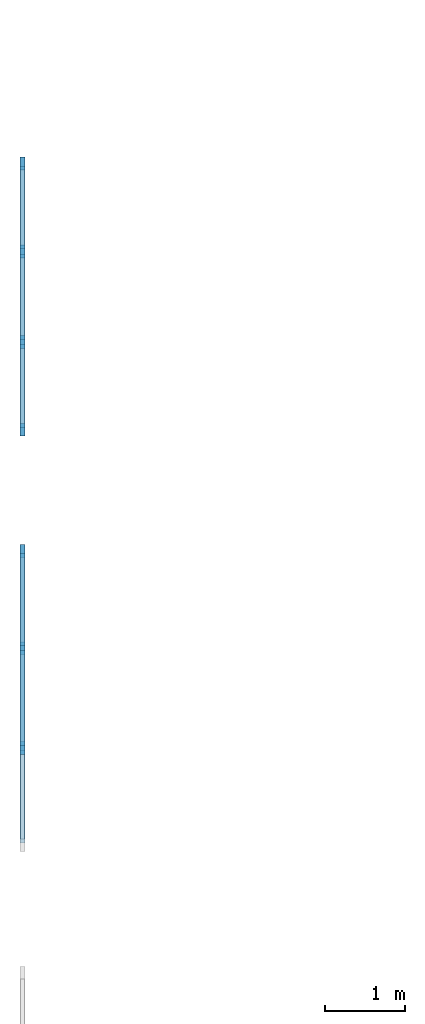
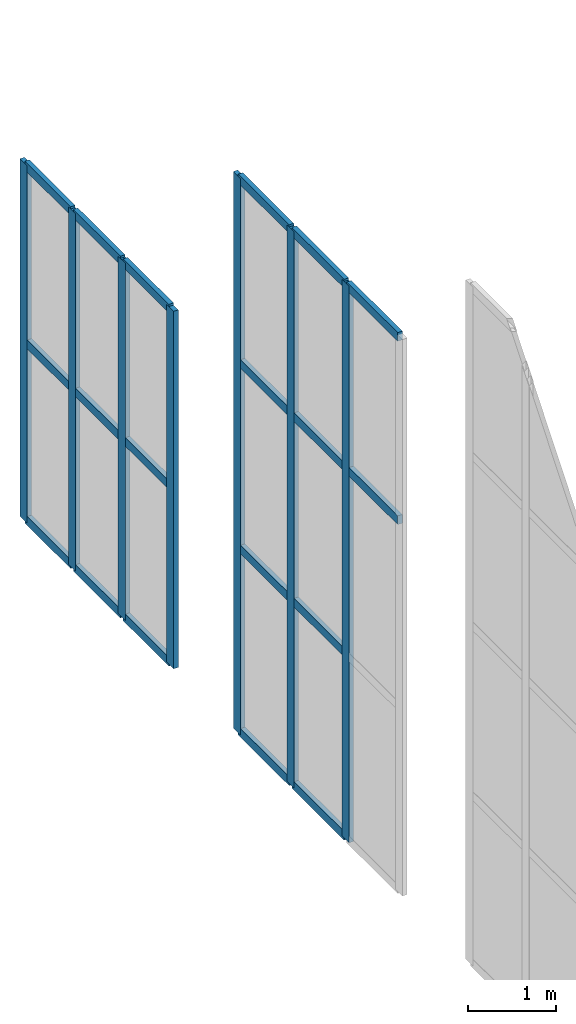
# One storey, part 3 of 19: 26 members, 2 elements without a shape of their own.
"""IFC4 building model written with IfcOpenShell, lengths in metres."""

from ifc_helpers import new_model, si_unit, direction, frame, origin, origin_2d, place, context, subcontext, project, spatial, rectangle, extrude, material, material_profile, profile_set, type_object, element, aggregate, save


model = new_model("IFC4")

# Units and contexts
model_context = context("Model", 3, precision=1e-05, world=origin(), true_north=direction((0.0, 1.0)))
body_context = subcontext(model_context, "Body", "Model", "MODEL_VIEW")
ifc_project = project(units=[si_unit("LENGTHUNIT", "METRE"), si_unit("AREAUNIT", "SQUARE_METRE"), si_unit("VOLUMEUNIT", "CUBIC_METRE"), si_unit("PLANEANGLEUNIT", "RADIAN"), si_unit("MASSUNIT", "GRAM", prefix="KILO")], contexts=[model_context])

# Site, building, storey
site_placement = place(None, origin())
site = spatial("IfcSite", under=ifc_project, at=site_placement, CompositionType="ELEMENT")
building_placement = place(site_placement, origin())
building = spatial("IfcBuilding", under=site, at=building_placement, Name="Vermilion Court Aquatics Centre", CompositionType="ELEMENT")
storey_placement = place(building_placement, frame((0.0, 0.0, 19.89990234375)))
storey = spatial("IfcBuildingStorey", under=building, at=storey_placement, Name="L04", CompositionType="ELEMENT", Elevation=19.89990234375)

# Curtain wall, members
ifc_material_1 = material(Name="Aluminium 6063-T5", Category="aluminium")
curtain_wall_type = type_object("IfcCurtainWallType", Name="Envelope curtain wall west gable upper runs", PredefinedType="NOTDEFINED", material=ifc_material_1)
curtain_wall_1_placement = place(storey_placement, origin())
curtain_wall_1 = element("IfcCurtainWall", 1, at=curtain_wall_1_placement, inside=storey, type_object=curtain_wall_type, Name="Gable glazing west 8.3", PredefinedType="NOTDEFINED")
ifc_material_2 = material(Name="Aluminium 6063-T5", Category="aluminium")
ifc_material_profile_1 = material_profile(ifc_material_2, rectangle(XDim=0.06005859375, YDim=0.159912109375, at=origin_2d()), Name="AL 60x160")
ifc_profile_set_1 = profile_set([ifc_material_profile_1], Name="Aluminium 6063-T5")
member_type_1 = type_object("IfcMemberType", Name="Envelope aluminium mullion 60x160", PredefinedType="MULLION", material=ifc_profile_set_1)
member_1_placement = place(storey_placement, frame((14.125, 47.063232421875, 0.0), z_axis=(0.0, 0.0, 1.0), x_axis=(-1.0, 0.0, 0.0)))
member_1 = element("IfcMember", 2, at=member_1_placement, type_object=member_type_1, Name="ECW4 mullion 2", PredefinedType="MULLION", context=body_context, shape_type="SweptSolid", body=[
    extrude(rectangle(XDim=0.06005859375, YDim=0.159912109375, at=origin_2d()), origin(), (0.0, 0.0, 1.0), 7.689697265625),
])
member_2_placement = place(storey_placement, frame((14.125, 48.306640625, 0.0), z_axis=(0.0, 0.0, 1.0), x_axis=(-1.0, 0.0, 0.0)))
member_2 = element("IfcMember", 3, at=member_2_placement, type_object=member_type_1, Name="ECW4 mullion 3", PredefinedType="MULLION", context=body_context, shape_type="SweptSolid", body=[
    extrude(rectangle(XDim=0.06005859375, YDim=0.159912109375, at=origin_2d()), origin(), (0.0, 0.0, 1.0), 7.689697265625),
])
member_3_placement = place(storey_placement, frame((14.125, 49.52001953125, 0.0), z_axis=(0.0, 0.0, 1.0), x_axis=(-1.0, 0.0, 0.0)))
member_3 = element("IfcMember", 4, at=member_3_placement, type_object=member_type_1, Name="ECW4 mullion 4", PredefinedType="MULLION", context=body_context, shape_type="SweptSolid", body=[
    extrude(rectangle(XDim=0.06005859375, YDim=0.159912109375, at=origin_2d()), origin(), (0.0, 0.0, 1.0), 7.689697265625),
])

curtain_wall_2_placement = place(storey_placement, origin())
curtain_wall_2 = element("IfcCurtainWall", 5, at=curtain_wall_2_placement, inside=storey, type_object=curtain_wall_type, Name="Gable glazing west 9.3", PredefinedType="NOTDEFINED")
member_4_placement = place(storey_placement, frame((14.125, 51.030029296875, 0.0), z_axis=(0.0, 0.0, 1.0), x_axis=(-1.0, 0.0, 0.0)))
member_4 = element("IfcMember", 6, at=member_4_placement, type_object=member_type_1, Name="ECW4 mullion 1", PredefinedType="MULLION", context=body_context, shape_type="SweptSolid", body=[
    extrude(rectangle(XDim=0.06005859375, YDim=0.159912109375, at=origin_2d()), origin(), (0.0, 0.0, 1.0), 4.9384765625),
])
member_5_placement = place(storey_placement, frame((14.125, 52.126708984375, 0.0), z_axis=(0.0, 0.0, 1.0), x_axis=(-1.0, 0.0, 0.0)))
member_5 = element("IfcMember", 7, at=member_5_placement, type_object=member_type_1, Name="ECW4 mullion 2", PredefinedType="MULLION", context=body_context, shape_type="SweptSolid", body=[
    extrude(rectangle(XDim=0.06005859375, YDim=0.159912109375, at=origin_2d()), origin(), (0.0, 0.0, 1.0), 4.9384765625),
])
member_6_placement = place(storey_placement, frame((14.125, 53.25341796875, 0.0), z_axis=(0.0, 0.0, 1.0), x_axis=(-1.0, 0.0, 0.0)))
member_6 = element("IfcMember", 8, at=member_6_placement, type_object=member_type_1, Name="ECW4 mullion 3", PredefinedType="MULLION", context=body_context, shape_type="SweptSolid", body=[
    extrude(rectangle(XDim=0.06005859375, YDim=0.159912109375, at=origin_2d()), origin(), (0.0, 0.0, 1.0), 4.9384765625),
])
member_7_placement = place(storey_placement, frame((14.125, 54.35009765625, 0.0), z_axis=(0.0, 0.0, 1.0), x_axis=(-1.0, 0.0, 0.0)))
member_7 = element("IfcMember", 9, at=member_7_placement, type_object=member_type_1, Name="ECW4 mullion 4", PredefinedType="MULLION", context=body_context, shape_type="SweptSolid", body=[
    extrude(rectangle(XDim=0.06005859375, YDim=0.159912109375, at=origin_2d()), origin(), (0.0, 0.0, 1.0), 4.9384765625),
])

# Member
ifc_material_3 = material(Name="Aluminium 6063-T5", Category="aluminium")
ifc_material_profile_2 = material_profile(ifc_material_3, rectangle(XDim=0.06005859375, YDim=0.1201171875, at=origin_2d()), Name="AL 60x120")
ifc_profile_set_2 = profile_set([ifc_material_profile_2], Name="Aluminium 6063-T5")
member_type_2 = type_object("IfcMemberType", Name="Envelope aluminium transom 60x120", PredefinedType="USERDEFINED", material=ifc_profile_set_2)
member_8_placement = place(storey_placement, frame((14.125, 45.8798828125, 5.12646484375), z_axis=(0.0, 1.0, 0.0), x_axis=(-1.0, 0.0, 0.0)))
member_8 = element("IfcMember", 10, at=member_8_placement, type_object=member_type_2, Name="ECW4 transom 1.3", ObjectType="TRANSOM", PredefinedType="USERDEFINED", context=body_context, shape_type="SweptSolid", body=[
    extrude(rectangle(XDim=0.06005859375, YDim=0.1201171875, at=origin_2d()), origin(), (0.0, 0.0, 1.0), 1.153564453125),
])

member_9_placement = place(storey_placement, frame((14.125, 45.8798828125, 7.65966796875), z_axis=(0.0, 1.0, 0.0), x_axis=(-1.0, 0.0, 0.0)))
member_9 = element("IfcMember", 11, at=member_9_placement, type_object=member_type_2, Name="ECW4 transom 1.4", ObjectType="TRANSOM", PredefinedType="USERDEFINED", context=body_context, shape_type="SweptSolid", body=[
    extrude(rectangle(XDim=0.06005859375, YDim=0.1201171875, at=origin_2d()), origin(), (0.0, 0.0, 1.0), 1.153564453125),
])

member_10_placement = place(storey_placement, frame((14.125, 47.09326171875, 0.030029296875), z_axis=(0.0, 1.0, 0.0), x_axis=(-1.0, 0.0, 0.0)))
member_10 = element("IfcMember", 12, at=member_10_placement, type_object=member_type_2, Name="ECW4 transom 2.1", ObjectType="TRANSOM", PredefinedType="USERDEFINED", context=body_context, shape_type="SweptSolid", body=[
    extrude(rectangle(XDim=0.06005859375, YDim=0.1201171875, at=origin_2d()), origin(), (0.0, 0.0, 1.0), 1.183349609375),
])

member_11_placement = place(storey_placement, frame((14.125, 47.09326171875, 2.563232421875), z_axis=(0.0, 1.0, 0.0), x_axis=(-1.0, 0.0, 0.0)))
member_11 = element("IfcMember", 13, at=member_11_placement, type_object=member_type_2, Name="ECW4 transom 2.2", ObjectType="TRANSOM", PredefinedType="USERDEFINED", context=body_context, shape_type="SweptSolid", body=[
    extrude(rectangle(XDim=0.06005859375, YDim=0.1201171875, at=origin_2d()), origin(), (0.0, 0.0, 1.0), 1.183349609375),
])

member_12_placement = place(storey_placement, frame((14.125, 47.09326171875, 5.12646484375), z_axis=(0.0, 1.0, 0.0), x_axis=(-1.0, 0.0, 0.0)))
member_12 = element("IfcMember", 14, at=member_12_placement, type_object=member_type_2, Name="ECW4 transom 2.3", ObjectType="TRANSOM", PredefinedType="USERDEFINED", context=body_context, shape_type="SweptSolid", body=[
    extrude(rectangle(XDim=0.06005859375, YDim=0.1201171875, at=origin_2d()), origin(), (0.0, 0.0, 1.0), 1.183349609375),
])

member_13_placement = place(storey_placement, frame((14.125, 47.09326171875, 7.65966796875), z_axis=(0.0, 1.0, 0.0), x_axis=(-1.0, 0.0, 0.0)))
member_13 = element("IfcMember", 15, at=member_13_placement, type_object=member_type_2, Name="ECW4 transom 2.4", ObjectType="TRANSOM", PredefinedType="USERDEFINED", context=body_context, shape_type="SweptSolid", body=[
    extrude(rectangle(XDim=0.06005859375, YDim=0.1201171875, at=origin_2d()), origin(), (0.0, 0.0, 1.0), 1.183349609375),
])

member_14_placement = place(storey_placement, frame((14.125, 48.336669921875, 0.030029296875), z_axis=(0.0, 1.0, 0.0), x_axis=(-1.0, 0.0, 0.0)))
member_14 = element("IfcMember", 16, at=member_14_placement, type_object=member_type_2, Name="ECW4 transom 3.1", ObjectType="TRANSOM", PredefinedType="USERDEFINED", context=body_context, shape_type="SweptSolid", body=[
    extrude(rectangle(XDim=0.06005859375, YDim=0.1201171875, at=origin_2d()), origin(), (0.0, 0.0, 1.0), 1.1533203125),
])

member_15_placement = place(storey_placement, frame((14.125, 48.336669921875, 2.563232421875), z_axis=(0.0, 1.0, 0.0), x_axis=(-1.0, 0.0, 0.0)))
member_15 = element("IfcMember", 17, at=member_15_placement, type_object=member_type_2, Name="ECW4 transom 3.2", ObjectType="TRANSOM", PredefinedType="USERDEFINED", context=body_context, shape_type="SweptSolid", body=[
    extrude(rectangle(XDim=0.06005859375, YDim=0.1201171875, at=origin_2d()), origin(), (0.0, 0.0, 1.0), 1.1533203125),
])

member_16_placement = place(storey_placement, frame((14.125, 48.336669921875, 5.12646484375), z_axis=(0.0, 1.0, 0.0), x_axis=(-1.0, 0.0, 0.0)))
member_16 = element("IfcMember", 18, at=member_16_placement, type_object=member_type_2, Name="ECW4 transom 3.3", ObjectType="TRANSOM", PredefinedType="USERDEFINED", context=body_context, shape_type="SweptSolid", body=[
    extrude(rectangle(XDim=0.06005859375, YDim=0.1201171875, at=origin_2d()), origin(), (0.0, 0.0, 1.0), 1.1533203125),
])

member_17_placement = place(storey_placement, frame((14.125, 48.336669921875, 7.65966796875), z_axis=(0.0, 1.0, 0.0), x_axis=(-1.0, 0.0, 0.0)))
member_17 = element("IfcMember", 19, at=member_17_placement, type_object=member_type_2, Name="ECW4 transom 3.4", ObjectType="TRANSOM", PredefinedType="USERDEFINED", context=body_context, shape_type="SweptSolid", body=[
    extrude(rectangle(XDim=0.06005859375, YDim=0.1201171875, at=origin_2d()), origin(), (0.0, 0.0, 1.0), 1.1533203125),
])

aggregate(curtain_wall_1, [member_1, member_2, member_3, member_8, member_9, member_10, member_11, member_12, member_13, member_14, member_15, member_16, member_17])

member_18_placement = place(storey_placement, frame((14.125, 51.06005859375, 0.030029296875), z_axis=(0.0, 1.0, 0.0), x_axis=(-1.0, 0.0, 0.0)))
member_18 = element("IfcMember", 20, at=member_18_placement, type_object=member_type_2, Name="ECW4 transom 1.1", ObjectType="TRANSOM", PredefinedType="USERDEFINED", context=body_context, shape_type="SweptSolid", body=[
    extrude(rectangle(XDim=0.06005859375, YDim=0.1201171875, at=origin_2d()), origin(), (0.0, 0.0, 1.0), 1.03662109375),
])

member_19_placement = place(storey_placement, frame((14.125, 51.06005859375, 2.46923828125), z_axis=(0.0, 1.0, 0.0), x_axis=(-1.0, 0.0, 0.0)))
member_19 = element("IfcMember", 21, at=member_19_placement, type_object=member_type_2, Name="ECW4 transom 1.2", ObjectType="TRANSOM", PredefinedType="USERDEFINED", context=body_context, shape_type="SweptSolid", body=[
    extrude(rectangle(XDim=0.06005859375, YDim=0.1201171875, at=origin_2d()), origin(), (0.0, 0.0, 1.0), 1.03662109375),
])

member_20_placement = place(storey_placement, frame((14.125, 51.06005859375, 4.908447265625), z_axis=(0.0, 1.0, 0.0), x_axis=(-1.0, 0.0, 0.0)))
member_20 = element("IfcMember", 22, at=member_20_placement, type_object=member_type_2, Name="ECW4 transom 1.3", ObjectType="TRANSOM", PredefinedType="USERDEFINED", context=body_context, shape_type="SweptSolid", body=[
    extrude(rectangle(XDim=0.06005859375, YDim=0.1201171875, at=origin_2d()), origin(), (0.0, 0.0, 1.0), 1.03662109375),
])

member_21_placement = place(storey_placement, frame((14.125, 52.15673828125, 0.030029296875), z_axis=(0.0, 1.0, 0.0), x_axis=(-1.0, 0.0, 0.0)))
member_21 = element("IfcMember", 23, at=member_21_placement, type_object=member_type_2, Name="ECW4 transom 2.1", ObjectType="TRANSOM", PredefinedType="USERDEFINED", context=body_context, shape_type="SweptSolid", body=[
    extrude(rectangle(XDim=0.06005859375, YDim=0.1201171875, at=origin_2d()), origin(), (0.0, 0.0, 1.0), 1.066650390625),
])

member_22_placement = place(storey_placement, frame((14.125, 52.15673828125, 2.46923828125), z_axis=(0.0, 1.0, 0.0), x_axis=(-1.0, 0.0, 0.0)))
member_22 = element("IfcMember", 24, at=member_22_placement, type_object=member_type_2, Name="ECW4 transom 2.2", ObjectType="TRANSOM", PredefinedType="USERDEFINED", context=body_context, shape_type="SweptSolid", body=[
    extrude(rectangle(XDim=0.06005859375, YDim=0.1201171875, at=origin_2d()), origin(), (0.0, 0.0, 1.0), 1.066650390625),
])

member_23_placement = place(storey_placement, frame((14.125, 52.15673828125, 4.908447265625), z_axis=(0.0, 1.0, 0.0), x_axis=(-1.0, 0.0, 0.0)))
member_23 = element("IfcMember", 25, at=member_23_placement, type_object=member_type_2, Name="ECW4 transom 2.3", ObjectType="TRANSOM", PredefinedType="USERDEFINED", context=body_context, shape_type="SweptSolid", body=[
    extrude(rectangle(XDim=0.06005859375, YDim=0.1201171875, at=origin_2d()), origin(), (0.0, 0.0, 1.0), 1.066650390625),
])

member_24_placement = place(storey_placement, frame((14.125, 53.283447265625, 0.030029296875), z_axis=(0.0, 1.0, 0.0), x_axis=(-1.0, 0.0, 0.0)))
member_24 = element("IfcMember", 26, at=member_24_placement, type_object=member_type_2, Name="ECW4 transom 3.1", ObjectType="TRANSOM", PredefinedType="USERDEFINED", context=body_context, shape_type="SweptSolid", body=[
    extrude(rectangle(XDim=0.06005859375, YDim=0.1201171875, at=origin_2d()), origin(), (0.0, 0.0, 1.0), 1.03662109375),
])

member_25_placement = place(storey_placement, frame((14.125, 53.283447265625, 2.46923828125), z_axis=(0.0, 1.0, 0.0), x_axis=(-1.0, 0.0, 0.0)))
member_25 = element("IfcMember", 27, at=member_25_placement, type_object=member_type_2, Name="ECW4 transom 3.2", ObjectType="TRANSOM", PredefinedType="USERDEFINED", context=body_context, shape_type="SweptSolid", body=[
    extrude(rectangle(XDim=0.06005859375, YDim=0.1201171875, at=origin_2d()), origin(), (0.0, 0.0, 1.0), 1.03662109375),
])

member_26_placement = place(storey_placement, frame((14.125, 53.283447265625, 4.908447265625), z_axis=(0.0, 1.0, 0.0), x_axis=(-1.0, 0.0, 0.0)))
member_26 = element("IfcMember", 28, at=member_26_placement, type_object=member_type_2, Name="ECW4 transom 3.3", ObjectType="TRANSOM", PredefinedType="USERDEFINED", context=body_context, shape_type="SweptSolid", body=[
    extrude(rectangle(XDim=0.06005859375, YDim=0.1201171875, at=origin_2d()), origin(), (0.0, 0.0, 1.0), 1.03662109375),
])

aggregate(curtain_wall_2, [member_4, member_5, member_6, member_7, member_18, member_19, member_20, member_21, member_22, member_23, member_24, member_25, member_26])

save(model, "model.ifc")
